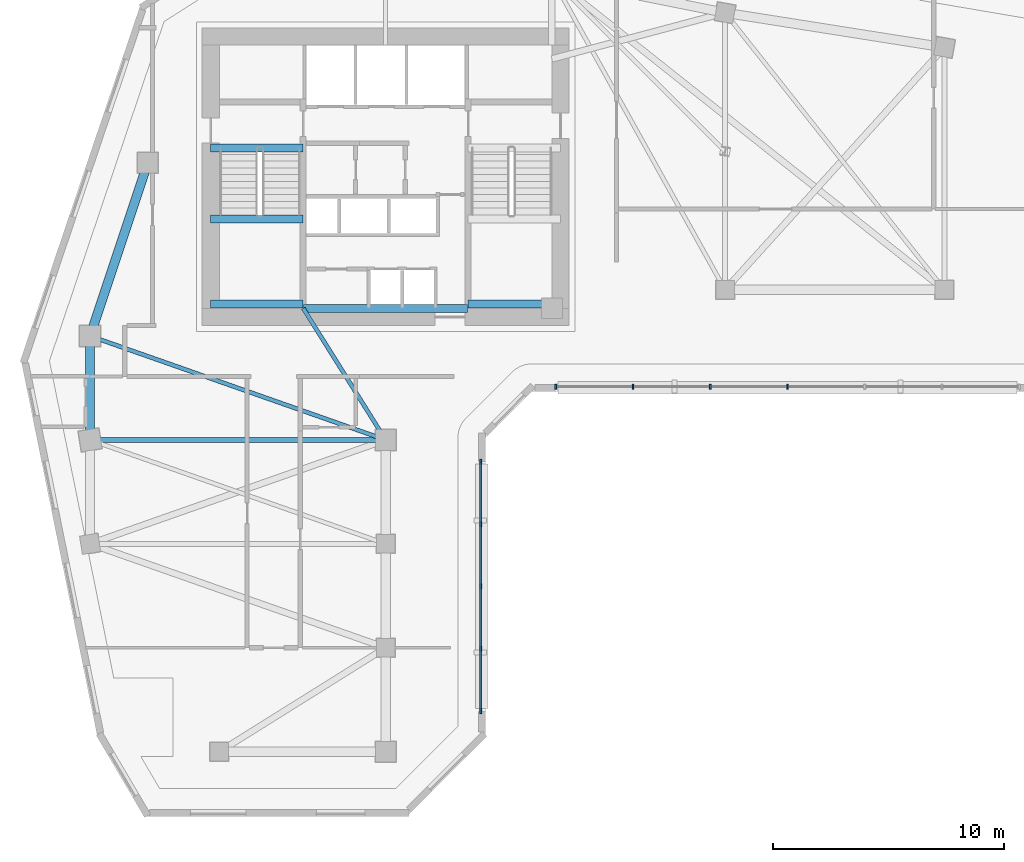
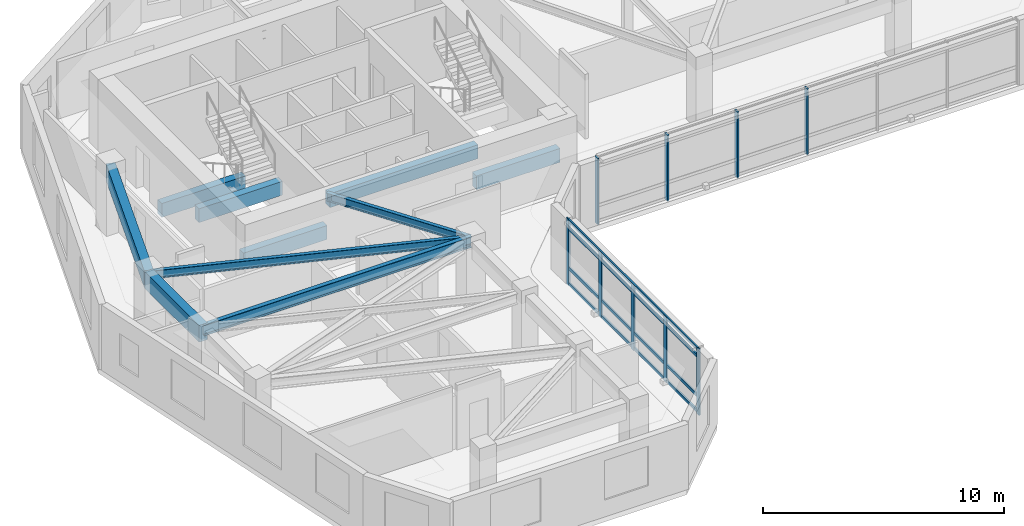
# One storey, part 2 of 10: 13 members, 10 beams, 2 elements without a shape of their own.
"""IFC4 building model written with IfcOpenShell, lengths in metres."""

from ifc_helpers import new_model, si_unit, direction, frame, origin, origin_2d, place, context, subcontext, project, spatial, rectangle, i_section, extrude, source, transform, mapped, material, material_profile, profile_set, type_object, element, aggregate, save


model = new_model("IFC4")

# Units and contexts
model_context = context("Model", 3, precision=1e-05, world=origin(), true_north=direction((0.0, 1.0)))
body_context = subcontext(model_context, "Body", "Model", "MODEL_VIEW")
ifc_project = project(units=[si_unit("LENGTHUNIT", "METRE"), si_unit("AREAUNIT", "SQUARE_METRE"), si_unit("VOLUMEUNIT", "CUBIC_METRE"), si_unit("PLANEANGLEUNIT", "RADIAN"), si_unit("MASSUNIT", "GRAM", prefix="KILO")], contexts=[model_context])

# Site, building, storey
site_placement = place(None, origin())
site = spatial("IfcSite", under=ifc_project, at=site_placement, CompositionType="ELEMENT")
building_placement = place(site_placement, origin())
building = spatial("IfcBuilding", under=site, at=building_placement, Name="Calvemar Wedge Station Tower", CompositionType="ELEMENT")
storey_placement = place(building_placement, frame((0.0, 0.0, 168.199951171875)))
storey = spatial("IfcBuildingStorey", under=building, at=storey_placement, Name="L42", CompositionType="ELEMENT", Elevation=168.199951171875)

# Beams
ifc_material_1 = material(Name="Concrete C60", Category="concrete")
ifc_material_profile_1 = material_profile(ifc_material_1, rectangle(XDim=0.39990234375, YDim=0.85009765625, at=origin_2d()), Name="RC400x850")
ifc_profile_set_1 = profile_set([ifc_material_profile_1], Name="Concrete C60")
beam_type_1 = type_object("IfcBeamType", Name="BM-SP1-850", PredefinedType="SPANDREL", material=ifc_profile_set_1)
shared_shape_1 = source(origin(), body_context, "Body", "SweptSolid", [
    extrude(rectangle(XDim=0.39990234375, YDim=0.85009765625, at=origin_2d()), origin(), (0.0, 0.0, 1.0), 7.90576171875),
])
beam_1_placement = place(storey_placement, frame((11.0, 33.0, 2.875), z_axis=(0.316227766017, 0.948683298051, 0.0), x_axis=(-0.948683298051, 0.316227766017, 0.0)))
element("IfcBeam", 1, at=beam_1_placement, inside=storey, type_object=beam_type_1, Name="Storey L42 Spandrel T-NW1-T-NW2", PredefinedType="SPANDREL", context=body_context, shape_type="MappedRepresentation", body=[
    mapped(shared_shape_1, transform((0.0, 0.0, 0.0), scale=1.0)),
])
shared_shape_2 = source(origin(), body_context, "Body", "SweptSolid", [
    extrude(rectangle(XDim=0.39990234375, YDim=0.85009765625, at=origin_2d()), origin(), (0.0, 0.0, 1.0), 4.5),
])
beam_2_placement = place(storey_placement, frame((11.0, 33.0, 2.875), z_axis=(0.0, -1.0, 0.0), x_axis=(1.0, 0.0, 0.0)))
element("IfcBeam", 2, at=beam_2_placement, inside=storey, type_object=beam_type_1, Name="Storey L42 Spandrel T-NW1-T-SW1", PredefinedType="SPANDREL", context=body_context, shape_type="MappedRepresentation", body=[
    mapped(shared_shape_2, transform((0.0, 0.0, 0.0), scale=1.0)),
])
ifc_material_2 = material(Name="Structural steel ASTM A572 Grade 50", Category="steel")
ifc_material_profile_2 = material_profile(ifc_material_2, i_section(OverallWidth=0.177978515625, OverallDepth=0.406982421875, WebThickness=0.0078125, FlangeThickness=0.0126953125, FilletRadius=0.010009765625, at=origin_2d()), Name="W410x60")
ifc_profile_set_2 = profile_set([ifc_material_profile_2], Name="Structural steel ASTM A572 Grade 50")
beam_type_2 = type_object("IfcBeamType", Name="BM-J3-W410", PredefinedType="JOIST", material=ifc_profile_set_2)
shared_shape_3 = source(origin(), body_context, "Body", "SweptSolid", [
    extrude(i_section(OverallWidth=0.177978515625, OverallDepth=0.406982421875, WebThickness=0.0078125, FlangeThickness=0.0126953125, FilletRadius=0.010009765625, at=origin_2d()), origin(), (0.0, 0.0, 1.0), 13.568115234375),
])
beam_3_placement = place(storey_placement, frame((11.0, 33.0, 3.096435546875), z_axis=(0.943398221169, -0.331662171939, 0.0), x_axis=(0.331662171939, 0.943398221169, 0.0)))
element("IfcBeam", 3, at=beam_3_placement, inside=storey, type_object=beam_type_2, Name="Storey L42 Floor Beam T-NW1-T-SE1", PredefinedType="JOIST", context=body_context, shape_type="MappedRepresentation", body=[
    mapped(shared_shape_3, transform((0.0, 0.0, 0.0), scale=1.0)),
])
shared_shape_4 = source(origin(), body_context, "Body", "SweptSolid", [
    extrude(i_section(OverallWidth=0.177978515625, OverallDepth=0.406982421875, WebThickness=0.0078125, FlangeThickness=0.0126953125, FilletRadius=0.010009765625, at=origin_2d()), origin(), (0.0, 0.0, 1.0), 6.7255859375),
])
beam_4_placement = place(storey_placement, frame((20.22998046875, 34.199951171875, 3.096435546875), z_axis=(0.530811158438, -0.847490126242, 0.0), x_axis=(0.847490126242, 0.530811158438, 0.0)))
element("IfcBeam", 4, at=beam_4_placement, inside=storey, type_object=beam_type_2, Name="Storey L42 Core-to-Column Joist CJ-S2", PredefinedType="JOIST", context=body_context, shape_type="MappedRepresentation", body=[
    mapped(shared_shape_4, transform((0.0, 0.0, 0.0), scale=1.0)),
])
ifc_material_3 = material(Name="Concrete C70", Category="concrete")
ifc_material_profile_3 = material_profile(ifc_material_3, rectangle(XDim=0.35009765625, YDim=0.699951171875, at=origin_2d()), Name="RC350x700")
ifc_profile_set_3 = profile_set([ifc_material_profile_3], Name="Concrete C70")
beam_type_3 = type_object("IfcBeamType", Name="BM-LN1-700", PredefinedType="LINTEL", material=ifc_profile_set_3)
shared_shape_5 = source(origin(), body_context, "Body", "SweptSolid", [
    extrude(rectangle(XDim=0.35009765625, YDim=0.699951171875, at=origin_2d()), origin(), (0.0, 0.0, 1.0), 7.10009765625),
])
beam_5_placement = place(storey_placement, frame((20.25, 34.199951171875, 2.949951171875), z_axis=(1.0, 0.0, 0.0), x_axis=(0.0, 1.0, 0.0)))
element("IfcBeam", 5, at=beam_5_placement, inside=storey, type_object=beam_type_3, Name="Storey L42 Core Coupling Lintel South", PredefinedType="LINTEL", context=body_context, shape_type="MappedRepresentation", body=[
    mapped(shared_shape_5, transform((0.0, 0.0, 0.0), scale=1.0)),
])
shared_shape_6 = source(origin(), body_context, "Body", "SweptSolid", [
    extrude(rectangle(XDim=0.35009765625, YDim=0.699951171875, at=origin_2d()), origin(), (0.0, 0.0, 1.0), 4.0048828125),
])
for number, where, z_axis, x_axis, name in (
    (6, (16.22509765625, 41.14990234375, -0.349853515625), (1.0, 0.0, 0.0), (0.0, 1.0, 0.0), "Storey L42 Stair ST-C1 Landing Trimmer Beam"),
    (7, (16.22509765625, 34.3798828125, 1.25), (1.0, 0.0, 0.0), (0.0, 1.0, 0.0), "Storey L42 Stair ST-C1 Half-Landing Beam 1A"),
    (8, (16.22509765625, 38.070068359375, 1.25), (1.0, 0.0, 0.0), (0.0, 1.0, 0.0), "Storey L42 Stair ST-C1 Half-Landing Beam 1B"),
    (9, (27.3701171875, 34.3798828125, 1.25), (1.0, 0.0, 0.0), (0.0, 1.0, 0.0), "Storey L42 Stair ST-C2 Half-Landing Beam 1A"),
):
    element("IfcBeam", number, at=place(storey_placement, frame(where, z_axis=z_axis, x_axis=x_axis)), inside=storey, type_object=beam_type_3, Name=name, PredefinedType="LINTEL", context=body_context, shape_type="MappedRepresentation", body=[
        mapped(shared_shape_6, transform((0.0, 0.0, 0.0), scale=1.0)),
    ])
ifc_material_profile_4 = material_profile(ifc_material_2, i_section(OverallWidth=0.2109375, OverallDepth=0.5390625, WebThickness=0.01171875, FlangeThickness=0.018798828125, FilletRadius=0.012939453125, at=origin_2d()), Name="W530x109")
ifc_profile_set_4 = profile_set([ifc_material_profile_4], Name="Structural steel ASTM A572 Grade 50")
beam_type_4 = type_object("IfcBeamType", Name="BM-SB4-W530", PredefinedType="BEAM", material=ifc_profile_set_4)
shared_shape_7 = source(origin(), body_context, "Body", "SweptSolid", [
    extrude(i_section(OverallWidth=0.2109375, OverallDepth=0.5390625, WebThickness=0.01171875, FlangeThickness=0.018798828125, FilletRadius=0.012939453125, at=origin_2d()), origin(), (0.0, 0.0, 1.0), 12.800048828125),
])
beam_6_placement = place(storey_placement, frame((11.0, 28.5, 3.030517578125), z_axis=(1.0, 0.0, 0.0), x_axis=(0.0, 1.0, 0.0)))
element("IfcBeam", 10, at=beam_6_placement, inside=storey, type_object=beam_type_4, Name="Storey L42 Floor Beam T-SW1-T-SE1", PredefinedType="BEAM", context=body_context, shape_type="MappedRepresentation", body=[
    mapped(shared_shape_7, transform((0.0, 0.0, 0.0), scale=1.0)),
])

# Curtain wall, members
ifc_material_4 = material(Name="Anodised aluminium 6063-T6", Category="aluminium")
curtain_wall_type = type_object("IfcCurtainWallType", Name="CW2", PredefinedType="NOTDEFINED", material=ifc_material_4)
curtain_wall_1_placement = place(storey_placement, origin())
curtain_wall_1 = element("IfcCurtainWall", 11, at=curtain_wall_1_placement, inside=storey, type_object=curtain_wall_type, Name="Storey L42 CW2 Recessed Unitised Curtain Wall 4", PredefinedType="NOTDEFINED")
ifc_material_profile_5 = material_profile(ifc_material_4, rectangle(XDim=0.074951171875, YDim=0.219970703125, at=origin_2d()), Name="AL-MUL-75x220")
ifc_profile_set_5 = profile_set([ifc_material_profile_5], Name="Anodised aluminium 6063-T6")
member_type_1 = type_object("IfcMemberType", Name="CW2-MUL", PredefinedType="MULLION", material=ifc_profile_set_5)
shared_shape_8 = source(origin(), body_context, "Body", "SweptSolid", [
    extrude(rectangle(XDim=0.074951171875, YDim=0.219970703125, at=origin_2d()), origin(), (0.0, 0.0, 1.0), 3.35009765625),
])
member_1_placement = place(storey_placement, frame((27.91796875, 16.76220703125, -0.050048828125), z_axis=(0.0, 0.0, 1.0), x_axis=(1.0, 0.0, 0.0)))
member_1 = element("IfcMember", 12, at=member_1_placement, type_object=member_type_1, Name="CW2 mullion 1", PredefinedType="MULLION", context=body_context, shape_type="MappedRepresentation", body=[
    mapped(shared_shape_8, transform((0.0, 0.0, 0.0), scale=1.0)),
])
member_2_placement = place(storey_placement, frame((27.91796875, 19.460205078125, -0.050048828125), z_axis=(0.0, 0.0, 1.0), x_axis=(1.0, 0.0, 0.0)))
member_2 = element("IfcMember", 13, at=member_2_placement, type_object=member_type_1, Name="CW2 mullion 2", PredefinedType="MULLION", context=body_context, shape_type="MappedRepresentation", body=[
    mapped(shared_shape_8, transform((0.0, 0.0, 0.0), scale=1.0)),
])
member_3_placement = place(storey_placement, frame((27.91796875, 22.158203125, -0.050048828125), z_axis=(0.0, 0.0, 1.0), x_axis=(1.0, 0.0, 0.0)))
member_3 = element("IfcMember", 14, at=member_3_placement, type_object=member_type_1, Name="CW2 mullion 3", PredefinedType="MULLION", context=body_context, shape_type="MappedRepresentation", body=[
    mapped(shared_shape_8, transform((0.0, 0.0, 0.0), scale=1.0)),
])
member_4_placement = place(storey_placement, frame((27.91796875, 24.856201171875, -0.050048828125), z_axis=(0.0, 0.0, 1.0), x_axis=(1.0, 0.0, 0.0)))
member_4 = element("IfcMember", 15, at=member_4_placement, type_object=member_type_1, Name="CW2 mullion 4", PredefinedType="MULLION", context=body_context, shape_type="MappedRepresentation", body=[
    mapped(shared_shape_8, transform((0.0, 0.0, 0.0), scale=1.0)),
])
member_5_placement = place(storey_placement, frame((27.91796875, 27.55419921875, -0.050048828125), z_axis=(0.0, 0.0, 1.0), x_axis=(1.0, 0.0, 0.0)))
member_5 = element("IfcMember", 16, at=member_5_placement, type_object=member_type_1, Name="CW2 mullion 5", PredefinedType="MULLION", context=body_context, shape_type="MappedRepresentation", body=[
    mapped(shared_shape_8, transform((0.0, 0.0, 0.0), scale=1.0)),
])

curtain_wall_2_placement = place(storey_placement, origin())
curtain_wall_2 = element("IfcCurtainWall", 17, at=curtain_wall_2_placement, inside=storey, type_object=curtain_wall_type, Name="Storey L42 CW2 Recessed Unitised Curtain Wall 6", PredefinedType="NOTDEFINED")
member_6_placement = place(storey_placement, frame((31.166015625, 30.802001953125, -0.050048828125), z_axis=(0.0, 0.0, 1.0), x_axis=(1.0, 0.0, 0.0)))
member_6 = element("IfcMember", 18, at=member_6_placement, type_object=member_type_1, Name="CW2 mullion 1", PredefinedType="MULLION", context=body_context, shape_type="MappedRepresentation", body=[
    mapped(shared_shape_8, transform((0.0, 0.0, 0.0), scale=1.0)),
])
member_7_placement = place(storey_placement, frame((34.51123046875, 30.802001953125, -0.050048828125), z_axis=(0.0, 0.0, 1.0), x_axis=(1.0, 0.0, 0.0)))
member_7 = element("IfcMember", 19, at=member_7_placement, type_object=member_type_1, Name="CW2 mullion 2", PredefinedType="MULLION", context=body_context, shape_type="MappedRepresentation", body=[
    mapped(shared_shape_8, transform((0.0, 0.0, 0.0), scale=1.0)),
])
member_8_placement = place(storey_placement, frame((37.856689453125, 30.802001953125, -0.050048828125), z_axis=(0.0, 0.0, 1.0), x_axis=(1.0, 0.0, 0.0)))
member_8 = element("IfcMember", 20, at=member_8_placement, type_object=member_type_1, Name="CW2 mullion 3", PredefinedType="MULLION", context=body_context, shape_type="MappedRepresentation", body=[
    mapped(shared_shape_8, transform((0.0, 0.0, 0.0), scale=1.0)),
])
member_9_placement = place(storey_placement, frame((41.201904296875, 30.802001953125, -0.050048828125), z_axis=(0.0, 0.0, 1.0), x_axis=(1.0, 0.0, 0.0)))
member_9 = element("IfcMember", 21, at=member_9_placement, type_object=member_type_1, Name="CW2 mullion 4", PredefinedType="MULLION", context=body_context, shape_type="MappedRepresentation", body=[
    mapped(shared_shape_8, transform((0.0, 0.0, 0.0), scale=1.0)),
])
aggregate(curtain_wall_2, [member_6, member_7, member_8, member_9])

# Member
ifc_material_profile_6 = material_profile(ifc_material_4, rectangle(XDim=0.074951171875, YDim=0.14990234375, at=origin_2d()), Name="AL-TRN-75x150")
ifc_profile_set_6 = profile_set([ifc_material_profile_6], Name="Anodised aluminium 6063-T6")
member_type_2 = type_object("IfcMemberType", Name="CW2-TRN", PredefinedType="USERDEFINED", material=ifc_profile_set_6)
shared_shape_9 = source(origin(), body_context, "Body", "SweptSolid", [
    extrude(rectangle(XDim=0.074951171875, YDim=0.14990234375, at=origin_2d()), origin(), (0.0, 0.0, 1.0), 10.7919921875),
])
member_10_placement = place(storey_placement, frame((27.91796875, 16.76220703125, 0.06005859375), z_axis=(0.0, 1.0, 0.0), x_axis=(-1.0, 0.0, 0.0)))
member_10 = element("IfcMember", 22, at=member_10_placement, type_object=member_type_2, Name="CW2 transom 1", ObjectType="TRANSOM", PredefinedType="USERDEFINED", context=body_context, shape_type="MappedRepresentation", body=[
    mapped(shared_shape_9, transform((0.0, 0.0, 0.0), scale=1.0)),
])

member_11_placement = place(storey_placement, frame((27.91796875, 16.76220703125, 0.85009765625), z_axis=(0.0, 1.0, 0.0), x_axis=(-1.0, 0.0, 0.0)))
member_11 = element("IfcMember", 23, at=member_11_placement, type_object=member_type_2, Name="CW2 transom 2", ObjectType="TRANSOM", PredefinedType="USERDEFINED", context=body_context, shape_type="MappedRepresentation", body=[
    mapped(shared_shape_9, transform((0.0, 0.0, 0.0), scale=1.0)),
])

member_12_placement = place(storey_placement, frame((27.91796875, 16.76220703125, 2.85009765625), z_axis=(0.0, 1.0, 0.0), x_axis=(-1.0, 0.0, 0.0)))
member_12 = element("IfcMember", 24, at=member_12_placement, type_object=member_type_2, Name="CW2 transom 3", ObjectType="TRANSOM", PredefinedType="USERDEFINED", context=body_context, shape_type="MappedRepresentation", body=[
    mapped(shared_shape_9, transform((0.0, 0.0, 0.0), scale=1.0)),
])

member_13_placement = place(storey_placement, frame((27.91796875, 16.76220703125, 3.239990234375), z_axis=(0.0, 1.0, 0.0), x_axis=(-1.0, 0.0, 0.0)))
member_13 = element("IfcMember", 25, at=member_13_placement, type_object=member_type_2, Name="CW2 transom 4", ObjectType="TRANSOM", PredefinedType="USERDEFINED", context=body_context, shape_type="MappedRepresentation", body=[
    mapped(shared_shape_9, transform((0.0, 0.0, 0.0), scale=1.0)),
])

aggregate(curtain_wall_1, [member_1, member_2, member_3, member_4, member_5, member_10, member_11, member_12, member_13])

save(model, "model.ifc")
